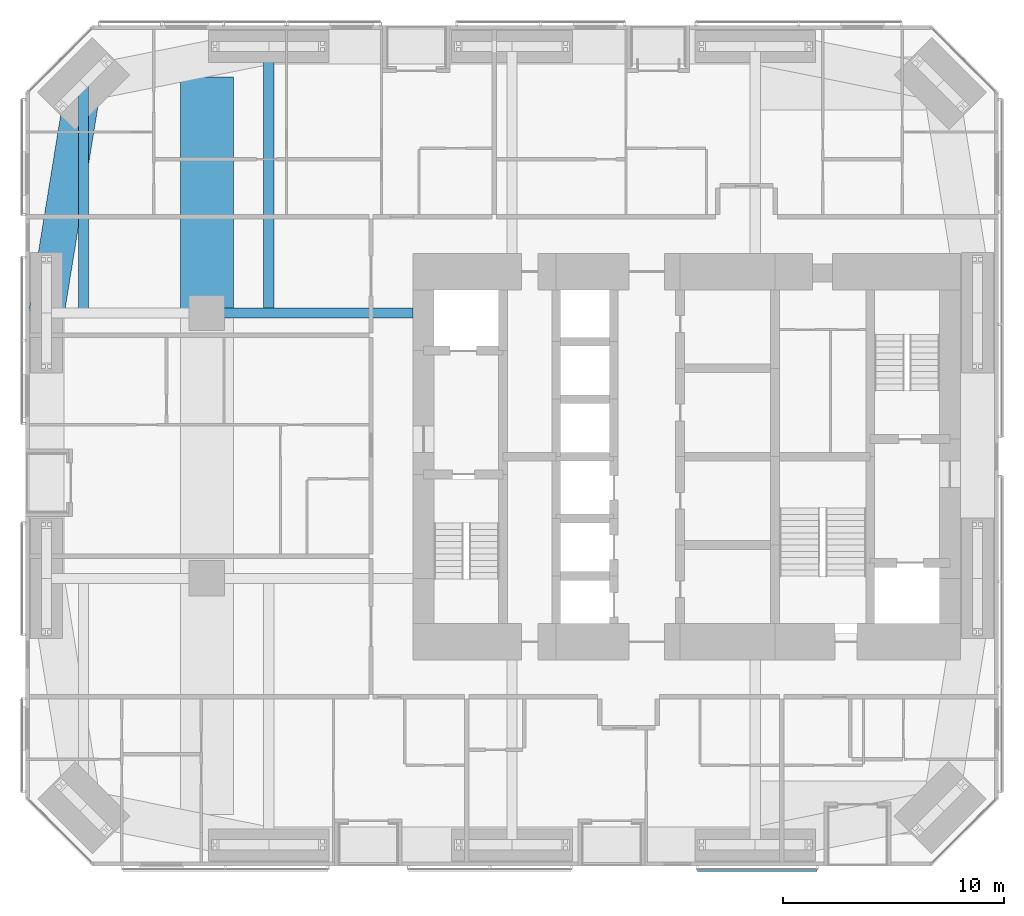
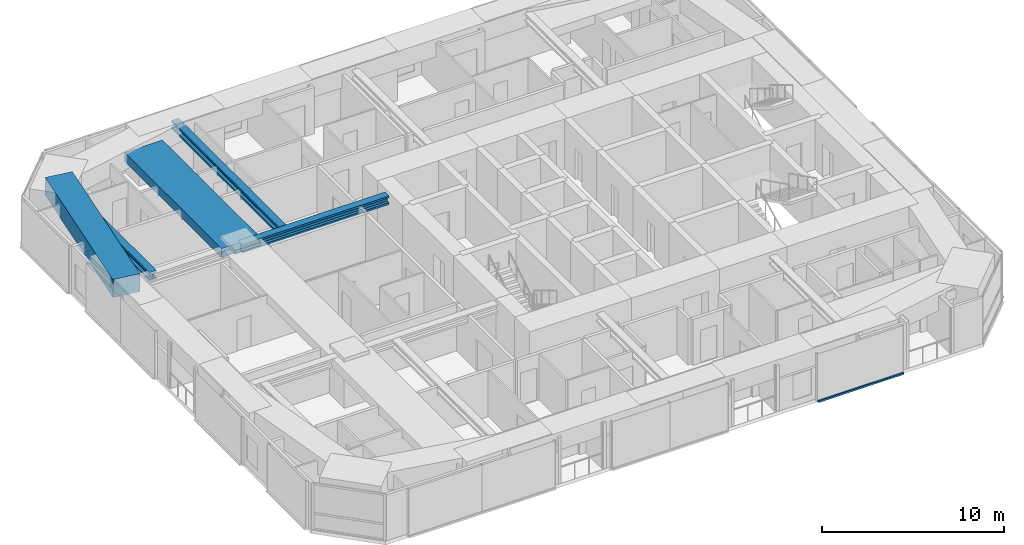
# One storey, part 7 of 23: 5 beams, 1 member, 1 element without a shape of its own.
"""IFC4 building model written with IfcOpenShell, lengths in metres."""

from ifc_helpers import new_model, si_unit, direction, frame, origin, origin_2d, place, context, subcontext, project, spatial, rectangle, i_section, extrude, material, material_profile, profile_set, type_object, element, aggregate, save


model = new_model("IFC4")

# Units and contexts
model_context = context("Model", 3, precision=1e-05, world=origin(), true_north=direction((0.0, 1.0)))
body_context = subcontext(model_context, "Body", "Model", "MODEL_VIEW")
ifc_project = project(units=[si_unit("LENGTHUNIT", "METRE"), si_unit("AREAUNIT", "SQUARE_METRE"), si_unit("VOLUMEUNIT", "CUBIC_METRE"), si_unit("PLANEANGLEUNIT", "RADIAN"), si_unit("MASSUNIT", "GRAM", prefix="KILO")], contexts=[model_context])

# Site, building, storey
site_placement = place(None, origin())
site = spatial("IfcSite", under=ifc_project, at=site_placement, CompositionType="ELEMENT")
building_placement = place(site_placement, origin())
building = spatial("IfcBuilding", under=site, at=building_placement, Name="Jalousie Tower", CompositionType="ELEMENT")
storey_placement = place(building_placement, frame((0.0, 0.0, 34.39990234375)))
storey = spatial("IfcBuildingStorey", under=building, at=storey_placement, Name="L08", CompositionType="ELEMENT", Elevation=34.39990234375)

# Beams
ifc_material_1 = material(Name="Steel ASTM A992 Grade 50", Category="steel")
ifc_material_profile_1 = material_profile(ifc_material_1, i_section(OverallWidth=0.45458984375, OverallDepth=0.569091796875, WebThickness=0.077880859375, FlangeThickness=0.124755859375, at=origin_2d()), Name="W14X730")
ifc_profile_set_1 = profile_set([ifc_material_profile_1], Name="Steel ASTM A992 Grade 50")
beam_type_1 = type_object("IfcBeamType", Name="LEAN COLLECTOR W14X730", PredefinedType="BEAM", material=ifc_profile_set_1)
beam_1_placement = place(storey_placement, frame((10.199951171875, 25.0, 2.82568359375), z_axis=(1.0, 0.0, 0.0), x_axis=(0.0, 1.0, 0.0)))
element("IfcBeam", 1, at=beam_1_placement, inside=storey, type_object=beam_type_1, Name="Lean collector under L09", PredefinedType="BEAM", context=body_context, shape_type="SweptSolid", body=[
    extrude(i_section(OverallWidth=0.45458984375, OverallDepth=0.569091796875, WebThickness=0.077880859375, FlangeThickness=0.124755859375, at=origin_2d()), origin(), (0.0, 0.0, 1.0), 9.324951171875),
])
beam_2_placement = place(storey_placement, frame((4.63134765625, 35.36865234375, 2.82568359375), z_axis=(0.0, -1.0, 0.0), x_axis=(1.0, 0.0, 0.0)))
element("IfcBeam", 2, at=beam_2_placement, inside=storey, type_object=beam_type_1, Name="Lean collector under L09", PredefinedType="BEAM", context=body_context, shape_type="SweptSolid", body=[
    extrude(i_section(OverallWidth=0.45458984375, OverallDepth=0.569091796875, WebThickness=0.077880859375, FlangeThickness=0.124755859375, at=origin_2d()), origin(), (0.0, 0.0, 1.0), 10.36865234375),
])
beam_3_placement = place(storey_placement, frame((13.0, 37.050048828125, 2.82568359375), z_axis=(0.0, -1.0, 0.0), x_axis=(1.0, 0.0, 0.0)))
element("IfcBeam", 3, at=beam_3_placement, inside=storey, type_object=beam_type_1, Name="Lean collector under L09", PredefinedType="BEAM", context=body_context, shape_type="SweptSolid", body=[
    extrude(i_section(OverallWidth=0.45458984375, OverallDepth=0.569091796875, WebThickness=0.077880859375, FlangeThickness=0.124755859375, at=origin_2d()), origin(), (0.0, 0.0, 1.0), 12.050048828125),
])
ifc_material_2 = material(Name="Concrete f'c 40 MPa", Category="concrete")
ifc_material_profile_2 = material_profile(ifc_material_2, rectangle(XDim=1.60009765625, YDim=1.199951171875, at=origin_2d()), Name="RC 1600x1200")
ifc_profile_set_2 = profile_set([ifc_material_profile_2], Name="Concrete f'c 40 MPa")
beam_type_2 = type_object("IfcBeamType", Name="RC BEAM 1600x1200", PredefinedType="BEAM", material=ifc_profile_set_2)
beam_4_placement = place(storey_placement, frame((4.63134765625, 35.36865234375, 2.75), z_axis=(-0.160070546476, -0.987105577003, 0.0), x_axis=(0.987105577003, -0.160070546476, 0.0)))
element("IfcBeam", 4, at=beam_4_placement, inside=storey, type_object=beam_type_2, Name="Edge band beam 12-13 under L09", PredefinedType="BEAM", context=body_context, shape_type="SweptSolid", body=[
    extrude(rectangle(XDim=1.60009765625, YDim=1.199951171875, at=origin_2d()), origin(), (0.0, 0.0, 1.0), 10.504150390625),
])
ifc_material_3 = material(Name="Concrete f'c 40 MPa", Category="concrete")
ifc_material_profile_3 = material_profile(ifc_material_3, rectangle(XDim=2.39990234375, YDim=0.60009765625, at=origin_2d()), Name="RC 2400x600")
ifc_profile_set_3 = profile_set([ifc_material_profile_3], Name="Concrete f'c 40 MPa")
beam_type_3 = type_object("IfcBeamType", Name="RC BEAM 2400x600", PredefinedType="BEAM", material=ifc_profile_set_3)
beam_5_placement = place(storey_placement, frame((10.199951171875, 25.0, 2.81005859375), z_axis=(0.0, 1.0, 0.0), x_axis=(-1.0, 0.0, 0.0)))
element("IfcBeam", 5, at=beam_5_placement, inside=storey, type_object=beam_type_3, Name="Floor band beam under L09", PredefinedType="BEAM", context=body_context, shape_type="SweptSolid", body=[
    extrude(rectangle(XDim=2.39990234375, YDim=0.60009765625, at=origin_2d()), origin(), (0.0, 0.0, 1.0), 10.67138671875),
])

# Curtain wall, member
ifc_material_4 = material(Name="Perforated aluminium sheet", Category="aluminium")
curtain_wall_type = type_object("IfcCurtainWallType", Name="SOLAR SCREEN SS-1", PredefinedType="USERDEFINED", material=ifc_material_4)
curtain_wall_placement = place(storey_placement, origin())
curtain_wall = element("IfcCurtainWall", 6, at=curtain_wall_placement, inside=storey, type_object=curtain_wall_type, Name="Solar screen L08", ObjectType="SOLAR SCREEN SS-1", PredefinedType="USERDEFINED")
ifc_material_5 = material(Name="Extruded aluminium screen rail", Category="aluminium")
ifc_material_profile_4 = material_profile(ifc_material_5, rectangle(XDim=0.1015625, YDim=0.1201171875, at=origin_2d()), Name="RAIL 102x120")
ifc_profile_set_4 = profile_set([ifc_material_profile_4], Name="Extruded aluminium screen rail")
member_type = type_object("IfcMemberType", Name="SOLAR SCREEN SS-1 TRANSOM", PredefinedType="USERDEFINED", material=ifc_profile_set_4)
member_placement = place(storey_placement, frame((32.382568359375, -0.1982421875, -0.059814453125), z_axis=(1.0, 0.0, 0.0), x_axis=(0.0, 1.0, 0.0)))
member = element("IfcMember", 7, at=member_placement, type_object=member_type, Name="SS1 rail", ObjectType="TRANSOM", PredefinedType="USERDEFINED", context=body_context, shape_type="SweptSolid", body=[
    extrude(rectangle(XDim=0.1015625, YDim=0.1201171875, at=origin_2d()), origin(), (0.0, 0.0, 1.0), 5.41748046875),
])
aggregate(curtain_wall, [member])

save(model, "model.ifc")
